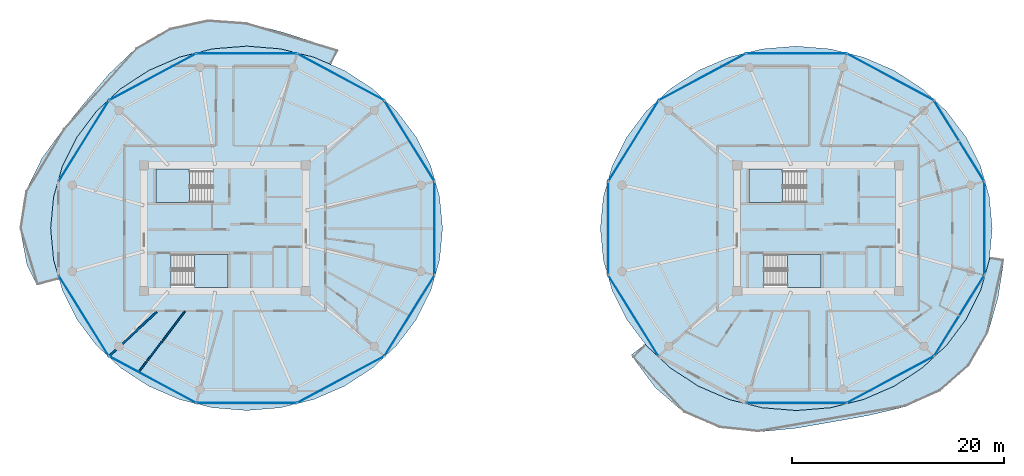
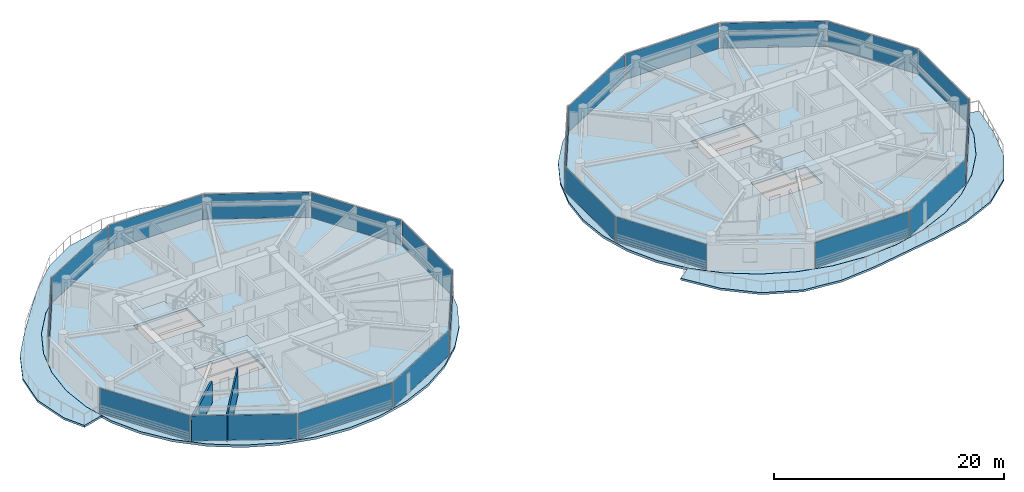
# One storey, part 12 of 22: 22 plates, 8 slabs, 2 walls, 26 elements without a shape of their own.
"""IFC4 building model written with IfcOpenShell, lengths in metres."""

from ifc_helpers import new_model, si_unit, direction, frame, frame_2d, origin, origin_2d, place, context, subcontext, project, spatial, polyline, rectangle, outline, extrude, source, transform, mapped, material, layer, layer_set, type_object, type_shapes, element, aggregate, save


model = new_model("IFC4")

# Units and contexts
model_context = context("Model", 3, precision=1e-05, world=origin(), true_north=direction((0.0, 1.0)))
body_context = subcontext(model_context, "Body", "Model", "MODEL_VIEW")
ifc_project = project(units=[si_unit("LENGTHUNIT", "METRE"), si_unit("AREAUNIT", "SQUARE_METRE"), si_unit("VOLUMEUNIT", "CUBIC_METRE"), si_unit("PLANEANGLEUNIT", "RADIAN"), si_unit("MASSUNIT", "GRAM", prefix="KILO")], contexts=[model_context])

# Site, building, storey
site_placement = place(None, origin())
site = spatial("IfcSite", under=ifc_project, at=site_placement, CompositionType="ELEMENT")
building_placement = place(site_placement, origin())
building = spatial("IfcBuilding", under=site, at=building_placement, Name="Norrkilde Senior Care Towers", CompositionType="ELEMENT")
storey_placement = place(building_placement, frame((0.0, 0.0, 87.10009765625)))
storey = spatial("IfcBuildingStorey", under=building, at=storey_placement, Name="L26", CompositionType="ELEMENT", Elevation=87.10009765625)

# Slabs
ifc_material_1 = material(Name="Concrete C50/60", Category="concrete")
ifc_layer_1 = layer(ifc_material_1, 0.215087890625)
ifc_layer_set_1 = layer_set([ifc_layer_1], Name="Concrete C50/60")
slab_type_1 = type_object("IfcSlabType", Name="Sinusoidal Balcony Ribbon Slab 215", PredefinedType="FLOOR", material=ifc_layer_set_1)
slab_1_placement = place(storey_placement, frame((0.0, 0.0, -0.215087890625)))
element("IfcSlab", 1, at=slab_1_placement, inside=storey, type_object=slab_type_1, Name="L26 Drum W Swirling Senior Balcony 1", PredefinedType="FLOOR", context=body_context, shape_type="SweptSolid", body=[
    extrude(outline(polyline([(-47.345703125, 0.0), (-46.804443359375, 3.486572265625), (-45.2626953125, 6.6376953125), (-43.244140625, 9.390380859375), (-41.14111328125, 11.975830078125), (-38.939697265625, 14.58349609375), (-36.35400390625, 17.045654296875), (-33.197265625, 18.88134765625), (-29.610107421875, 19.669677734375), (-25.949951171875, 19.406005859375), (-22.480712890625, 18.50439453125), (-19.189208984375, 17.443359375), (-17.287353515625, 16.818603515625), (-17.987548828125, 15.459228515625), (-19.620849609375, 16.16748046875), (-22.736572265625, 16.943603515625), (-25.949951171875, 17.205078125), (-29.163330078125, 16.943603515625), (-32.279052734375, 16.16748046875), (-35.202392578125, 14.89990234375), (-37.8447265625, 13.1796875), (-40.125732421875, 11.05908203125), (-41.975830078125, 8.6025390625), (-43.339111328125, 5.884521484375), (-44.173828125, 2.987548828125), (-44.455078125, 0.0), (-44.173828125, -2.987548828125), (-43.64990234375, -4.80615234375), (-45.723388671875, -5.369140625), (-46.6826171875, -3.46337890625), (-47.345703125, 0.0)])), origin(), (0.0, 0.0, 1.0), 0.215087890625),
])
slab_2_placement = place(storey_placement, frame((0.0, 0.0, -0.215087890625)))
element("IfcSlab", 2, at=slab_2_placement, inside=storey, type_object=slab_type_1, Name="L26 Drum E Swirling Senior Balcony 1", PredefinedType="FLOOR", context=body_context, shape_type="SweptSolid", body=[
    extrude(outline(polyline([(44.04443359375, -9.88720703125), (42.25244140625, -12.978759765625), (39.5439453125, -15.35791015625), (36.243408203125, -16.83935546875), (32.785888671875, -17.66552734375), (29.381103515625, -18.272705078125), (25.949951171875, -18.869384765625), (22.36328125, -19.220703125), (18.71826171875, -18.83544921875), (15.360107421875, -17.391845703125), (12.619873046875, -15.019775390625), (10.5224609375, -12.189453125), (10.37353515625, -11.944091796875), (11.68408203125, -10.939208984375), (11.7744140625, -11.05908203125), (14.05517578125, -13.1796875), (16.697509765625, -14.89990234375), (19.620849609375, -16.16748046875), (22.736572265625, -16.943603515625), (25.949951171875, -17.205078125), (29.163330078125, -16.943603515625), (32.279052734375, -16.16748046875), (35.202392578125, -14.89990234375), (37.8447265625, -13.1796875), (40.125732421875, -11.05908203125), (41.975830078125, -8.6025390625), (43.339111328125, -5.884521484375), (44.173828125, -2.987548828125), (44.197509765625, -2.73681640625), (45.557861328125, -2.94091796875), (45.517822265625, -3.24267578125), (44.996826171875, -6.533447265625), (44.04443359375, -9.88720703125)])), origin(), (0.0, 0.0, 1.0), 0.215087890625),
])

# Stair, slab
ifc_material_2 = material(Name="Concrete C45/55", Category="concrete")
stair_type = type_object("IfcStairType", Name="Core Protected Dogleg Stair Typical 3050", PredefinedType="HALF_TURN_STAIR", material=ifc_material_2)
stair_1_placement = place(storey_placement, origin())
stair_1 = element("IfcStair", 3, at=stair_1_placement, inside=storey, type_object=stair_type, Name="L26 Protected Core Stair W1", PredefinedType="HALF_TURN_STAIR")
ifc_layer_2 = layer(ifc_material_2, 0.199951171875)
ifc_layer_set_2 = layer_set([ifc_layer_2], Name="Concrete C45/55")
slab_type_2 = type_object("IfcSlabType", Name="Stair Landing Slab 200", PredefinedType="LANDING", material=ifc_layer_set_2)
slab_3_placement = place(storey_placement, frame((0.0, 0.0, 1.324951171875)))
slab_3 = element("IfcSlab", 4, at=slab_3_placement, type_object=slab_type_2, Name="ST-W1 landing 1", PredefinedType="LANDING", context=body_context, shape_type="SweptSolid", body=[
    extrude(outline(polyline([(-31.340087890625, 5.590087890625), (-34.5, 5.590087890625), (-34.5, 2.449951171875), (-31.340087890625, 2.449951171875), (-31.340087890625, 5.590087890625)])), origin(), (0.0, 0.0, 1.0), 0.199951171875),
])
aggregate(stair_1, [slab_3])

stair_2_placement = place(storey_placement, origin())
stair_2 = element("IfcStair", 5, at=stair_2_placement, inside=storey, type_object=stair_type, Name="L26 Protected Core Stair W2", PredefinedType="HALF_TURN_STAIR")
slab_4_placement = place(storey_placement, frame((0.0, 0.0, 1.324951171875)))
slab_4 = element("IfcSlab", 6, at=slab_4_placement, type_object=slab_type_2, Name="ST-W2 landing 1", PredefinedType="LANDING", context=body_context, shape_type="SweptSolid", body=[
    extrude(outline(polyline([(-30.860107421875, -5.590087890625), (-27.699951171875, -5.590087890625), (-27.699951171875, -2.449951171875), (-30.860107421875, -2.449951171875), (-30.860107421875, -5.590087890625)])), origin(), (0.0, 0.0, 1.0), 0.199951171875),
])
aggregate(stair_2, [slab_4])

stair_3_placement = place(storey_placement, origin())
stair_3 = element("IfcStair", 7, at=stair_3_placement, inside=storey, type_object=stair_type, Name="L26 Protected Core Stair E1", PredefinedType="HALF_TURN_STAIR")
slab_5_placement = place(storey_placement, frame((0.0, 0.0, 1.324951171875)))
slab_5 = element("IfcSlab", 8, at=slab_5_placement, type_object=slab_type_2, Name="ST-E1 landing 1", PredefinedType="LANDING", context=body_context, shape_type="SweptSolid", body=[
    extrude(outline(polyline([(24.659912109375, 5.590087890625), (21.5, 5.590087890625), (21.5, 2.449951171875), (24.659912109375, 2.449951171875), (24.659912109375, 5.590087890625)])), origin(), (0.0, 0.0, 1.0), 0.199951171875),
])
aggregate(stair_3, [slab_5])

stair_4_placement = place(storey_placement, origin())
stair_4 = element("IfcStair", 9, at=stair_4_placement, inside=storey, type_object=stair_type, Name="L26 Protected Core Stair E2", PredefinedType="HALF_TURN_STAIR")
slab_6_placement = place(storey_placement, frame((0.0, 0.0, 1.324951171875)))
slab_6 = element("IfcSlab", 10, at=slab_6_placement, type_object=slab_type_2, Name="ST-E2 landing 1", PredefinedType="LANDING", context=body_context, shape_type="SweptSolid", body=[
    extrude(outline(polyline([(25.139892578125, -5.590087890625), (28.300048828125, -5.590087890625), (28.300048828125, -2.449951171875), (25.139892578125, -2.449951171875), (25.139892578125, -5.590087890625)])), origin(), (0.0, 0.0, 1.0), 0.199951171875),
])
aggregate(stair_4, [slab_6])

# Slabs
ifc_layer_3 = layer(ifc_material_1, 0.260009765625)
ifc_layer_set_3 = layer_set([ifc_layer_3], Name="Concrete C50/60")
slab_type_3 = type_object("IfcSlabType", Name="Tower Care Floor Slab 260", PredefinedType="FLOOR", material=ifc_layer_set_3)
slab_7_placement = place(storey_placement, frame((0.0, 0.0, -0.260009765625)))
element("IfcSlab", 11, at=slab_7_placement, inside=storey, type_object=slab_type_3, Name="L26 Drum W Structural Floor Slab", PredefinedType="FLOOR", context=body_context, shape_type="SweptSolid", body=[
    extrude(outline(polyline([(-8.565673828125, -5.8828125), (-9.928466796875, -8.60009765625), (-11.778076171875, -11.055908203125), (-14.058349609375, -13.176025390625), (-16.699951171875, -14.895751953125), (-19.62255859375, -16.16259765625), (-22.737548828125, -16.938720703125), (-25.949951171875, -17.199951171875), (-29.16259765625, -16.938720703125), (-32.27734375, -16.16259765625), (-35.199951171875, -14.895751953125), (-37.841552734375, -13.176025390625), (-40.121826171875, -11.055908203125), (-41.971435546875, -8.60009765625), (-43.334228515625, -5.8828125), (-44.1689453125, -2.98681640625), (-44.449951171875, 0.0), (-44.1689453125, 2.98681640625), (-43.334228515625, 5.8828125), (-41.971435546875, 8.60009765625), (-40.121826171875, 11.055908203125), (-37.841552734375, 13.176025390625), (-35.199951171875, 14.895751953125), (-32.27734375, 16.16259765625), (-29.16259765625, 16.938720703125), (-25.949951171875, 17.199951171875), (-22.737548828125, 16.938720703125), (-19.62255859375, 16.16259765625), (-16.699951171875, 14.895751953125), (-14.058349609375, 13.176025390625), (-11.778076171875, 11.055908203125), (-9.928466796875, 8.60009765625), (-8.565673828125, 5.8828125), (-7.73095703125, 2.98681640625), (-7.449951171875, 0.0), (-7.73095703125, -2.98681640625), (-8.565673828125, -5.8828125)]), holes=[polyline([(-34.48193359375, 2.468017578125), (-29.117919921875, 2.468017578125), (-29.117919921875, 5.590087890625), (-34.48193359375, 5.590087890625), (-34.48193359375, 2.468017578125)]), polyline([(-27.718017578125, -5.590087890625), (-27.718017578125, -2.468017578125), (-33.08203125, -2.468017578125), (-33.08203125, -5.590087890625), (-27.718017578125, -5.590087890625)])]), origin(), (0.0, 0.0, 1.0), 0.260009765625),
])
slab_8_placement = place(storey_placement, frame((0.0, 0.0, -0.260009765625)))
element("IfcSlab", 12, at=slab_8_placement, inside=storey, type_object=slab_type_3, Name="L26 Drum E Structural Floor Slab", PredefinedType="FLOOR", context=body_context, shape_type="SweptSolid", body=[
    extrude(outline(polyline([(43.334228515625, -5.8828125), (41.971435546875, -8.60009765625), (40.121826171875, -11.055908203125), (37.841552734375, -13.176025390625), (35.199951171875, -14.895751953125), (32.27734375, -16.16259765625), (29.16259765625, -16.938720703125), (25.949951171875, -17.199951171875), (22.737548828125, -16.938720703125), (19.62255859375, -16.16259765625), (16.699951171875, -14.895751953125), (14.058349609375, -13.176025390625), (11.778076171875, -11.055908203125), (9.928466796875, -8.60009765625), (8.565673828125, -5.8828125), (7.73095703125, -2.98681640625), (7.449951171875, 0.0), (7.73095703125, 2.98681640625), (8.565673828125, 5.8828125), (9.928466796875, 8.60009765625), (11.778076171875, 11.055908203125), (14.058349609375, 13.176025390625), (16.699951171875, 14.895751953125), (19.62255859375, 16.16259765625), (22.737548828125, 16.938720703125), (25.949951171875, 17.199951171875), (29.16259765625, 16.938720703125), (32.27734375, 16.16259765625), (35.199951171875, 14.895751953125), (37.841552734375, 13.176025390625), (40.121826171875, 11.055908203125), (41.971435546875, 8.60009765625), (43.334228515625, 5.8828125), (44.1689453125, 2.98681640625), (44.449951171875, 0.0), (44.1689453125, -2.98681640625), (43.334228515625, -5.8828125)]), holes=[polyline([(21.51806640625, 2.468017578125), (26.882080078125, 2.468017578125), (26.882080078125, 5.590087890625), (21.51806640625, 5.590087890625), (21.51806640625, 2.468017578125)]), polyline([(28.281982421875, -5.590087890625), (28.281982421875, -2.468017578125), (22.91796875, -2.468017578125), (22.91796875, -5.590087890625), (28.281982421875, -5.590087890625)])]), origin(), (0.0, 0.0, 1.0), 0.260009765625),
])

# Curtain wall, plate
ifc_material_3 = material(Name="Triple Low-E Insulated Glazing", Category="glass")
ifc_layer_4 = layer(ifc_material_3, 0.195068359375)
ifc_layer_set_4 = layer_set([ifc_layer_4], Name="Triple Low-E Insulated Glazing")
curtain_wall_type = type_object("IfcCurtainWallType", Name="CW3 Zone 2 Assisted Living Curtain Wall", PredefinedType="NOTDEFINED", material=ifc_layer_set_4)
curtain_wall_1_placement = place(storey_placement, origin())
curtain_wall_1 = element("IfcCurtainWall", 13, at=curtain_wall_1_placement, inside=storey, type_object=curtain_wall_type, Name="L26 Drum W Curtain Wall 00", PredefinedType="NOTDEFINED")
ifc_layer_5 = layer(ifc_material_3, 0.035888671875)
ifc_layer_set_5 = layer_set([ifc_layer_5], Name="Triple Low-E Insulated Glazing")
plate_type = type_object("IfcPlateType", Name="Triple Low-E Vision Curtain Panel 36", PredefinedType="CURTAIN_PANEL", material=ifc_layer_set_5)
shared_shape_1 = source(origin(), body_context, "Body", "SweptSolid", [
    extrude(rectangle(XDim=8.88427734375, YDim=0.035888671875, at=origin_2d()), origin(), (0.0, 0.0, 1.0), 2.669921875),
])
plate_1_placement = place(storey_placement, frame((-10.574951171875, 8.2490234375, 0.06005859375), z_axis=(0.0, 0.0, 1.0), x_axis=(0.527733228002, -0.849410171862, 0.0)))
plate_1 = element("IfcPlate", 14, at=plate_1_placement, type_object=plate_type, Name="CW-3 panel 1.1", PredefinedType="CURTAIN_PANEL", context=body_context, shape_type="MappedRepresentation", body=[
    mapped(shared_shape_1, transform((0.0, 0.0, 0.0), x_axis=(1.0, 0.0, 0.0), y_axis=(0.0, 1.0, 0.0), z_axis=(0.0, 0.0, 1.0), scale=1.0)),
])
aggregate(curtain_wall_1, [plate_1])

curtain_wall_2_placement = place(storey_placement, origin())
curtain_wall_2 = element("IfcCurtainWall", 15, at=curtain_wall_2_placement, inside=storey, type_object=curtain_wall_type, Name="L26 Drum W Curtain Wall 04", PredefinedType="NOTDEFINED")
plate_2_placement = place(storey_placement, frame((-41.3251953125, 8.2490234375, 0.06005859375), z_axis=(0.0, 0.0, 1.0), x_axis=(0.527733228002, 0.849410171862, 0.0)))
plate_2 = element("IfcPlate", 16, at=plate_2_placement, type_object=plate_type, Name="CW-3 panel 1.1", PredefinedType="CURTAIN_PANEL", context=body_context, shape_type="MappedRepresentation", body=[
    mapped(shared_shape_1, transform((0.0, 0.0, 0.0), x_axis=(1.0, 0.0, 0.0), y_axis=(0.0, 1.0, 0.0), z_axis=(0.0, 0.0, 1.0), scale=1.0)),
])
aggregate(curtain_wall_2, [plate_2])

curtain_wall_3_placement = place(storey_placement, origin())
curtain_wall_3 = element("IfcCurtainWall", 17, at=curtain_wall_3_placement, inside=storey, type_object=curtain_wall_type, Name="L26 Drum W Curtain Wall 06", PredefinedType="NOTDEFINED")
plate_3_placement = place(storey_placement, frame((-41.3251953125, -8.2490234375, 0.06005859375), z_axis=(0.0, 0.0, 1.0), x_axis=(-0.527733228002, 0.849410171862, 0.0)))
plate_3 = element("IfcPlate", 18, at=plate_3_placement, type_object=plate_type, Name="CW-3 panel 1.1", PredefinedType="CURTAIN_PANEL", context=body_context, shape_type="MappedRepresentation", body=[
    mapped(shared_shape_1, transform((0.0, 0.0, 0.0), x_axis=(1.0, 0.0, 0.0), y_axis=(0.0, 1.0, 0.0), z_axis=(0.0, 0.0, 1.0), scale=1.0)),
])
aggregate(curtain_wall_3, [plate_3])

curtain_wall_4_placement = place(storey_placement, origin())
curtain_wall_4 = element("IfcCurtainWall", 19, at=curtain_wall_4_placement, inside=storey, type_object=curtain_wall_type, Name="L26 Drum W Curtain Wall 10", PredefinedType="NOTDEFINED")
plate_4_placement = place(storey_placement, frame((-10.574951171875, -8.2490234375, 0.06005859375), z_axis=(0.0, 0.0, 1.0), x_axis=(-0.527733228002, -0.849410171862, 0.0)))
plate_4 = element("IfcPlate", 20, at=plate_4_placement, type_object=plate_type, Name="CW-3 panel 1.1", PredefinedType="CURTAIN_PANEL", context=body_context, shape_type="MappedRepresentation", body=[
    mapped(shared_shape_1, transform((0.0, 0.0, 0.0), x_axis=(1.0, 0.0, 0.0), y_axis=(0.0, 1.0, 0.0), z_axis=(0.0, 0.0, 1.0), scale=1.0)),
])
aggregate(curtain_wall_4, [plate_4])

curtain_wall_5_placement = place(storey_placement, origin())
curtain_wall_5 = element("IfcCurtainWall", 21, at=curtain_wall_5_placement, inside=storey, type_object=curtain_wall_type, Name="L26 Drum E Curtain Wall 00", PredefinedType="NOTDEFINED")
plate_5_placement = place(storey_placement, frame((41.3251953125, 8.2490234375, 0.06005859375), z_axis=(0.0, 0.0, 1.0), x_axis=(0.527733228002, -0.849410171862, 0.0)))
plate_5 = element("IfcPlate", 22, at=plate_5_placement, type_object=plate_type, Name="CW-3 panel 1.1", PredefinedType="CURTAIN_PANEL", context=body_context, shape_type="MappedRepresentation", body=[
    mapped(shared_shape_1, transform((0.0, 0.0, 0.0), x_axis=(1.0, 0.0, 0.0), y_axis=(0.0, 1.0, 0.0), z_axis=(0.0, 0.0, 1.0), scale=1.0)),
])
aggregate(curtain_wall_5, [plate_5])

curtain_wall_6_placement = place(storey_placement, origin())
curtain_wall_6 = element("IfcCurtainWall", 23, at=curtain_wall_6_placement, inside=storey, type_object=curtain_wall_type, Name="L26 Drum E Curtain Wall 04", PredefinedType="NOTDEFINED")
plate_6_placement = place(storey_placement, frame((10.574951171875, 8.2490234375, 0.06005859375), z_axis=(0.0, 0.0, 1.0), x_axis=(0.527733228002, 0.849410171862, 0.0)))
plate_6 = element("IfcPlate", 24, at=plate_6_placement, type_object=plate_type, Name="CW-3 panel 1.1", PredefinedType="CURTAIN_PANEL", context=body_context, shape_type="MappedRepresentation", body=[
    mapped(shared_shape_1, transform((0.0, 0.0, 0.0), x_axis=(1.0, 0.0, 0.0), y_axis=(0.0, 1.0, 0.0), z_axis=(0.0, 0.0, 1.0), scale=1.0)),
])
aggregate(curtain_wall_6, [plate_6])

curtain_wall_7_placement = place(storey_placement, origin())
curtain_wall_7 = element("IfcCurtainWall", 25, at=curtain_wall_7_placement, inside=storey, type_object=curtain_wall_type, Name="L26 Drum E Curtain Wall 06", PredefinedType="NOTDEFINED")
plate_7_placement = place(storey_placement, frame((10.574951171875, -8.2490234375, 0.06005859375), z_axis=(0.0, 0.0, 1.0), x_axis=(-0.527733228002, 0.849410171862, 0.0)))
plate_7 = element("IfcPlate", 26, at=plate_7_placement, type_object=plate_type, Name="CW-3 panel 1.1", PredefinedType="CURTAIN_PANEL", context=body_context, shape_type="MappedRepresentation", body=[
    mapped(shared_shape_1, transform((0.0, 0.0, 0.0), x_axis=(1.0, 0.0, 0.0), y_axis=(0.0, 1.0, 0.0), z_axis=(0.0, 0.0, 1.0), scale=1.0)),
])
aggregate(curtain_wall_7, [plate_7])

curtain_wall_8_placement = place(storey_placement, origin())
curtain_wall_8 = element("IfcCurtainWall", 27, at=curtain_wall_8_placement, inside=storey, type_object=curtain_wall_type, Name="L26 Drum E Curtain Wall 10", PredefinedType="NOTDEFINED")
plate_8_placement = place(storey_placement, frame((41.3251953125, -8.2490234375, 0.06005859375), z_axis=(0.0, 0.0, 1.0), x_axis=(-0.527733228002, -0.849410171862, 0.0)))
plate_8 = element("IfcPlate", 28, at=plate_8_placement, type_object=plate_type, Name="CW-3 panel 1.1", PredefinedType="CURTAIN_PANEL", context=body_context, shape_type="MappedRepresentation", body=[
    mapped(shared_shape_1, transform((0.0, 0.0, 0.0), x_axis=(1.0, 0.0, 0.0), y_axis=(0.0, 1.0, 0.0), z_axis=(0.0, 0.0, 1.0), scale=1.0)),
])
aggregate(curtain_wall_8, [plate_8])

curtain_wall_9_placement = place(storey_placement, origin())
curtain_wall_9 = element("IfcCurtainWall", 29, at=curtain_wall_9_placement, inside=storey, type_object=curtain_wall_type, Name="L26 Drum W Curtain Wall 01", PredefinedType="NOTDEFINED")
shared_shape_2 = source(origin(), body_context, "Body", "SweptSolid", [
    extrude(rectangle(XDim=9.220458984375, YDim=0.035888671875, at=origin_2d()), origin(), (0.0, 0.0, 1.0), 2.669921875),
])
plate_9_placement = place(storey_placement, frame((-17.0732421875, 14.28759765625, 0.06005859375), z_axis=(0.0, 0.0, 1.0), x_axis=(0.881186184668, -0.472769402511, 0.0)))
plate_9 = element("IfcPlate", 30, at=plate_9_placement, type_object=plate_type, Name="CW-3 panel 1.1", PredefinedType="CURTAIN_PANEL", context=body_context, shape_type="MappedRepresentation", body=[
    mapped(shared_shape_2, transform((0.0, 0.0, 0.0), x_axis=(1.0, 0.0, 0.0), y_axis=(0.0, 1.0, 0.0), z_axis=(0.0, 0.0, 1.0), scale=1.0)),
])
aggregate(curtain_wall_9, [plate_9])

curtain_wall_10_placement = place(storey_placement, origin())
curtain_wall_10 = element("IfcCurtainWall", 31, at=curtain_wall_10_placement, inside=storey, type_object=curtain_wall_type, Name="L26 Drum W Curtain Wall 03", PredefinedType="NOTDEFINED")
plate_10_placement = place(storey_placement, frame((-34.826904296875, 14.28759765625, 0.06005859375), z_axis=(0.0, 0.0, 1.0), x_axis=(0.881186184668, 0.472769402511, 0.0)))
plate_10 = element("IfcPlate", 32, at=plate_10_placement, type_object=plate_type, Name="CW-3 panel 1.1", PredefinedType="CURTAIN_PANEL", context=body_context, shape_type="MappedRepresentation", body=[
    mapped(shared_shape_2, transform((0.0, 0.0, 0.0), x_axis=(1.0, 0.0, 0.0), y_axis=(0.0, 1.0, 0.0), z_axis=(0.0, 0.0, 1.0), scale=1.0)),
])
aggregate(curtain_wall_10, [plate_10])

curtain_wall_11_placement = place(storey_placement, origin())
curtain_wall_11 = element("IfcCurtainWall", 33, at=curtain_wall_11_placement, inside=storey, type_object=curtain_wall_type, Name="L26 Drum W Curtain Wall 07", PredefinedType="NOTDEFINED")
plate_11_placement = place(storey_placement, frame((-34.826904296875, -14.28759765625, 0.06005859375), z_axis=(0.0, 0.0, 1.0), x_axis=(-0.881186184668, 0.472769402511, 0.0)))
plate_11 = element("IfcPlate", 34, at=plate_11_placement, type_object=plate_type, Name="CW-3 panel 1.1", PredefinedType="CURTAIN_PANEL", context=body_context, shape_type="MappedRepresentation", body=[
    mapped(shared_shape_2, transform((0.0, 0.0, 0.0), x_axis=(1.0, 0.0, 0.0), y_axis=(0.0, 1.0, 0.0), z_axis=(0.0, 0.0, 1.0), scale=1.0)),
])
aggregate(curtain_wall_11, [plate_11])

curtain_wall_12_placement = place(storey_placement, origin())
curtain_wall_12 = element("IfcCurtainWall", 35, at=curtain_wall_12_placement, inside=storey, type_object=curtain_wall_type, Name="L26 Drum W Curtain Wall 09", PredefinedType="NOTDEFINED")
plate_12_placement = place(storey_placement, frame((-17.0732421875, -14.28759765625, 0.06005859375), z_axis=(0.0, 0.0, 1.0), x_axis=(-0.881186184668, -0.472769402511, 0.0)))
plate_12 = element("IfcPlate", 36, at=plate_12_placement, type_object=plate_type, Name="CW-3 panel 1.1", PredefinedType="CURTAIN_PANEL", context=body_context, shape_type="MappedRepresentation", body=[
    mapped(shared_shape_2, transform((0.0, 0.0, 0.0), x_axis=(1.0, 0.0, 0.0), y_axis=(0.0, 1.0, 0.0), z_axis=(0.0, 0.0, 1.0), scale=1.0)),
])
aggregate(curtain_wall_12, [plate_12])

curtain_wall_13_placement = place(storey_placement, origin())
curtain_wall_13 = element("IfcCurtainWall", 37, at=curtain_wall_13_placement, inside=storey, type_object=curtain_wall_type, Name="L26 Drum E Curtain Wall 01", PredefinedType="NOTDEFINED")
plate_13_placement = place(storey_placement, frame((34.826904296875, 14.28759765625, 0.06005859375), z_axis=(0.0, 0.0, 1.0), x_axis=(0.881186184668, -0.472769402511, 0.0)))
plate_13 = element("IfcPlate", 38, at=plate_13_placement, type_object=plate_type, Name="CW-3 panel 1.1", PredefinedType="CURTAIN_PANEL", context=body_context, shape_type="MappedRepresentation", body=[
    mapped(shared_shape_2, transform((0.0, 0.0, 0.0), x_axis=(1.0, 0.0, 0.0), y_axis=(0.0, 1.0, 0.0), z_axis=(0.0, 0.0, 1.0), scale=1.0)),
])
aggregate(curtain_wall_13, [plate_13])

curtain_wall_14_placement = place(storey_placement, origin())
curtain_wall_14 = element("IfcCurtainWall", 39, at=curtain_wall_14_placement, inside=storey, type_object=curtain_wall_type, Name="L26 Drum E Curtain Wall 03", PredefinedType="NOTDEFINED")
plate_14_placement = place(storey_placement, frame((17.0732421875, 14.28759765625, 0.06005859375), z_axis=(0.0, 0.0, 1.0), x_axis=(0.881186184668, 0.472769402511, 0.0)))
plate_14 = element("IfcPlate", 40, at=plate_14_placement, type_object=plate_type, Name="CW-3 panel 1.1", PredefinedType="CURTAIN_PANEL", context=body_context, shape_type="MappedRepresentation", body=[
    mapped(shared_shape_2, transform((0.0, 0.0, 0.0), x_axis=(1.0, 0.0, 0.0), y_axis=(0.0, 1.0, 0.0), z_axis=(0.0, 0.0, 1.0), scale=1.0)),
])
aggregate(curtain_wall_14, [plate_14])

curtain_wall_15_placement = place(storey_placement, origin())
curtain_wall_15 = element("IfcCurtainWall", 41, at=curtain_wall_15_placement, inside=storey, type_object=curtain_wall_type, Name="L26 Drum E Curtain Wall 09", PredefinedType="NOTDEFINED")
plate_15_placement = place(storey_placement, frame((34.826904296875, -14.28759765625, 0.06005859375), z_axis=(0.0, 0.0, 1.0), x_axis=(-0.881186184668, -0.472769402511, 0.0)))
plate_15 = element("IfcPlate", 42, at=plate_15_placement, type_object=plate_type, Name="CW-3 panel 1.1", PredefinedType="CURTAIN_PANEL", context=body_context, shape_type="MappedRepresentation", body=[
    mapped(shared_shape_2, transform((0.0, 0.0, 0.0), x_axis=(1.0, 0.0, 0.0), y_axis=(0.0, 1.0, 0.0), z_axis=(0.0, 0.0, 1.0), scale=1.0)),
])
aggregate(curtain_wall_15, [plate_15])

curtain_wall_16_placement = place(storey_placement, origin())
curtain_wall_16 = element("IfcCurtainWall", 43, at=curtain_wall_16_placement, inside=storey, type_object=curtain_wall_type, Name="L26 Drum W Curtain Wall 02", PredefinedType="NOTDEFINED")
shared_shape_3 = source(origin(), body_context, "Body", "SweptSolid", [
    extrude(rectangle(XDim=9.38427734375, YDim=0.035888671875, at=origin_2d()), origin(), (0.0, 0.0, 1.0), 2.669921875),
])
plate_16_placement = place(storey_placement, frame((-25.949951171875, 16.498046875, 0.06005859375), z_axis=(0.0, 0.0, 1.0), x_axis=(1.0, 0.0, 0.0)))
plate_16 = element("IfcPlate", 44, at=plate_16_placement, type_object=plate_type, Name="CW-3 panel 1.1", PredefinedType="CURTAIN_PANEL", context=body_context, shape_type="MappedRepresentation", body=[
    mapped(shared_shape_3, transform((0.0, 0.0, 0.0), x_axis=(1.0, 0.0, 0.0), y_axis=(0.0, 1.0, 0.0), z_axis=(0.0, 0.0, 1.0), scale=1.0)),
])
aggregate(curtain_wall_16, [plate_16])

curtain_wall_17_placement = place(storey_placement, origin())
curtain_wall_17 = element("IfcCurtainWall", 45, at=curtain_wall_17_placement, inside=storey, type_object=curtain_wall_type, Name="L26 Drum W Curtain Wall 08", PredefinedType="NOTDEFINED")
plate_17_placement = place(storey_placement, frame((-25.949951171875, -16.498046875, 0.06005859375), z_axis=(0.0, 0.0, 1.0), x_axis=(-1.0, 0.0, 0.0)))
plate_17 = element("IfcPlate", 46, at=plate_17_placement, type_object=plate_type, Name="CW-3 panel 1.1", PredefinedType="CURTAIN_PANEL", context=body_context, shape_type="MappedRepresentation", body=[
    mapped(shared_shape_3, transform((0.0, 0.0, 0.0), x_axis=(1.0, 0.0, 0.0), y_axis=(0.0, 1.0, 0.0), z_axis=(0.0, 0.0, 1.0), scale=1.0)),
])
aggregate(curtain_wall_17, [plate_17])

curtain_wall_18_placement = place(storey_placement, origin())
curtain_wall_18 = element("IfcCurtainWall", 47, at=curtain_wall_18_placement, inside=storey, type_object=curtain_wall_type, Name="L26 Drum E Curtain Wall 02", PredefinedType="NOTDEFINED")
plate_18_placement = place(storey_placement, frame((25.949951171875, 16.498046875, 0.06005859375), z_axis=(0.0, 0.0, 1.0), x_axis=(1.0, 0.0, 0.0)))
plate_18 = element("IfcPlate", 48, at=plate_18_placement, type_object=plate_type, Name="CW-3 panel 1.1", PredefinedType="CURTAIN_PANEL", context=body_context, shape_type="MappedRepresentation", body=[
    mapped(shared_shape_3, transform((0.0, 0.0, 0.0), x_axis=(1.0, 0.0, 0.0), y_axis=(0.0, 1.0, 0.0), z_axis=(0.0, 0.0, 1.0), scale=1.0)),
])
aggregate(curtain_wall_18, [plate_18])

curtain_wall_19_placement = place(storey_placement, origin())
curtain_wall_19 = element("IfcCurtainWall", 49, at=curtain_wall_19_placement, inside=storey, type_object=curtain_wall_type, Name="L26 Drum E Curtain Wall 08", PredefinedType="NOTDEFINED")
plate_19_placement = place(storey_placement, frame((25.949951171875, -16.498046875, 0.06005859375), z_axis=(0.0, 0.0, 1.0), x_axis=(-1.0, 0.0, 0.0)))
plate_19 = element("IfcPlate", 50, at=plate_19_placement, type_object=plate_type, Name="CW-3 panel 1.1", PredefinedType="CURTAIN_PANEL", context=body_context, shape_type="MappedRepresentation", body=[
    mapped(shared_shape_3, transform((0.0, 0.0, 0.0), x_axis=(1.0, 0.0, 0.0), y_axis=(0.0, 1.0, 0.0), z_axis=(0.0, 0.0, 1.0), scale=1.0)),
])
aggregate(curtain_wall_19, [plate_19])

curtain_wall_20_placement = place(storey_placement, origin())
curtain_wall_20 = element("IfcCurtainWall", 51, at=curtain_wall_20_placement, inside=storey, type_object=curtain_wall_type, Name="L26 Drum W Curtain Wall 11", PredefinedType="NOTDEFINED")
shared_shape_4 = source(origin(), body_context, "Body", "SweptSolid", [
    extrude(rectangle(XDim=8.711181640625, YDim=0.035888671875, at=origin_2d()), origin(), (0.0, 0.0, 1.0), 2.669921875),
])
type_shapes(plate_type, [shared_shape_1, shared_shape_2, shared_shape_3, shared_shape_4])
plate_20_placement = place(storey_placement, frame((-8.1962890625, 0.0, 0.06005859375), z_axis=(0.0, 0.0, 1.0), x_axis=(0.0, -1.0, 0.0)))
plate_20 = element("IfcPlate", 52, at=plate_20_placement, type_object=plate_type, Name="CW-3 panel 1.1", PredefinedType="CURTAIN_PANEL", context=body_context, shape_type="MappedRepresentation", body=[
    mapped(shared_shape_4, transform((0.0, 0.0, 0.0), x_axis=(1.0, 0.0, 0.0), y_axis=(0.0, 1.0, 0.0), z_axis=(0.0, 0.0, 1.0), scale=1.0)),
])
aggregate(curtain_wall_20, [plate_20])

curtain_wall_21_placement = place(storey_placement, origin())
curtain_wall_21 = element("IfcCurtainWall", 53, at=curtain_wall_21_placement, inside=storey, type_object=curtain_wall_type, Name="L26 Drum E Curtain Wall 05", PredefinedType="NOTDEFINED")
plate_21_placement = place(storey_placement, frame((8.1962890625, 0.0, 0.06005859375), z_axis=(0.0, 0.0, 1.0), x_axis=(0.0, 1.0, 0.0)))
plate_21 = element("IfcPlate", 54, at=plate_21_placement, type_object=plate_type, Name="CW-3 panel 1.1", PredefinedType="CURTAIN_PANEL", context=body_context, shape_type="MappedRepresentation", body=[
    mapped(shared_shape_4, transform((0.0, 0.0, 0.0), x_axis=(1.0, 0.0, 0.0), y_axis=(0.0, 1.0, 0.0), z_axis=(0.0, 0.0, 1.0), scale=1.0)),
])
aggregate(curtain_wall_21, [plate_21])

curtain_wall_22_placement = place(storey_placement, origin())
curtain_wall_22 = element("IfcCurtainWall", 55, at=curtain_wall_22_placement, inside=storey, type_object=curtain_wall_type, Name="L26 Drum E Curtain Wall 11", PredefinedType="NOTDEFINED")
plate_22_placement = place(storey_placement, frame((43.70361328125, 0.0, 0.06005859375), z_axis=(0.0, 0.0, 1.0), x_axis=(0.0, -1.0, 0.0)))
plate_22 = element("IfcPlate", 56, at=plate_22_placement, type_object=plate_type, Name="CW-3 panel 1.1", PredefinedType="CURTAIN_PANEL", context=body_context, shape_type="MappedRepresentation", body=[
    mapped(shared_shape_4, transform((0.0, 0.0, 0.0), x_axis=(1.0, 0.0, 0.0), y_axis=(0.0, 1.0, 0.0), z_axis=(0.0, 0.0, 1.0), scale=1.0)),
])
aggregate(curtain_wall_22, [plate_22])

# Walls
ifc_material_4 = material(Name="Gypsum Acoustic Board")
ifc_layer_6 = layer(ifc_material_4, 0.18994140625)
ifc_layer_set_6 = layer_set([ifc_layer_6], Name="Gypsum Acoustic Board")
wall_type_1 = type_object("IfcWallType", Name="Unit Demising Acoustic Wall 190", PredefinedType="PARTITIONING", material=ifc_layer_set_6)
shared_shape_5 = source(origin(), body_context, "Body", "SweptSolid", [
    extrude(rectangle(XDim=6.186767578125, YDim=0.18994140625, at=frame_2d((3.09326171875, 0.0))), origin(), (0.0, 0.0, 1.0), 2.27490234375),
])
type_shapes(wall_type_1, [shared_shape_5])
wall_1_placement = place(storey_placement, frame((-34.428955078125, -7.8798828125, 0.0), z_axis=(0.0, 0.0, 1.0), x_axis=(-0.732501077882, -0.680765870841, 0.0)))
element("IfcWall", 57, at=wall_1_placement, inside=storey, type_object=wall_type_1, Name="WL-INT-L26-W-DEM-07-0", PredefinedType="PARTITIONING", context=body_context, shape_type="MappedRepresentation", body=[
    mapped(shared_shape_5, transform((0.0, 0.0, 0.0), x_axis=(1.0, 0.0, 0.0), y_axis=(0.0, 1.0, 0.0), z_axis=(0.0, 0.0, 1.0), scale=1.0)),
])
ifc_layer_7 = layer(ifc_material_4, 0.139892578125)
ifc_layer_set_7 = layer_set([ifc_layer_7], Name="Gypsum Acoustic Board")
wall_type_2 = type_object("IfcWallType", Name="En-suite Wet Room Wall 140", PredefinedType="PARTITIONING", material=ifc_layer_set_7)
shared_shape_6 = source(origin(), body_context, "Body", "SweptSolid", [
    extrude(rectangle(XDim=7.24267578125, YDim=0.139892578125, at=frame_2d((3.621337890625, 0.0))), origin(), (0.0, 0.0, 1.0), 2.77490234375),
])
type_shapes(wall_type_2, [shared_shape_6])
wall_2_placement = place(storey_placement, frame((-31.773681640625, -7.830078125, 0.0), z_axis=(0.0, 0.0, 1.0), x_axis=(-0.605111472002, -0.796140757939, 0.0)))
element("IfcWall", 58, at=wall_2_placement, inside=storey, type_object=wall_type_2, Name="WL-INT-L26-W-MID-07", PredefinedType="PARTITIONING", context=body_context, shape_type="MappedRepresentation", body=[
    mapped(shared_shape_6, transform((0.0, 0.0, 0.0), x_axis=(1.0, 0.0, 0.0), y_axis=(0.0, 1.0, 0.0), z_axis=(0.0, 0.0, 1.0), scale=1.0)),
])

save(model, "model.ifc")
